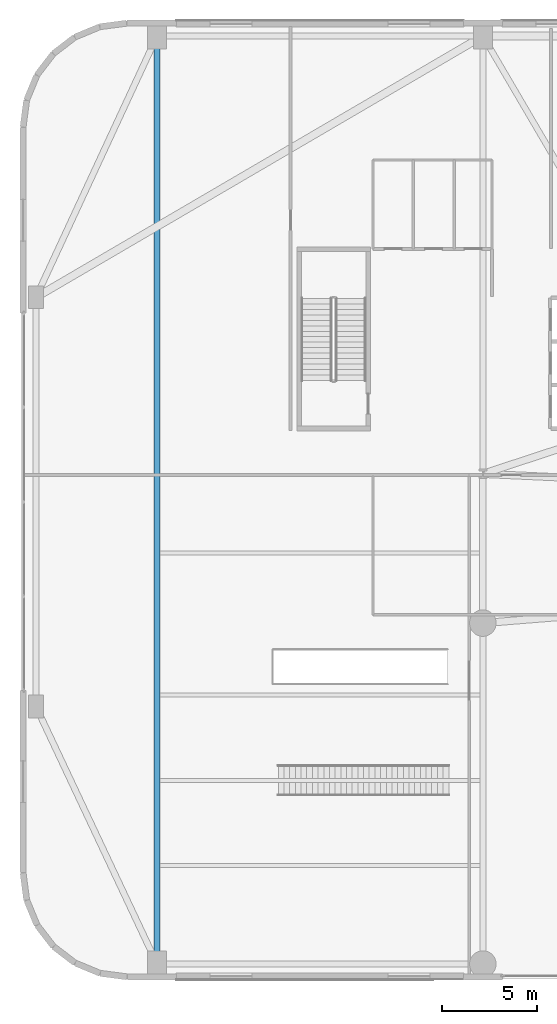
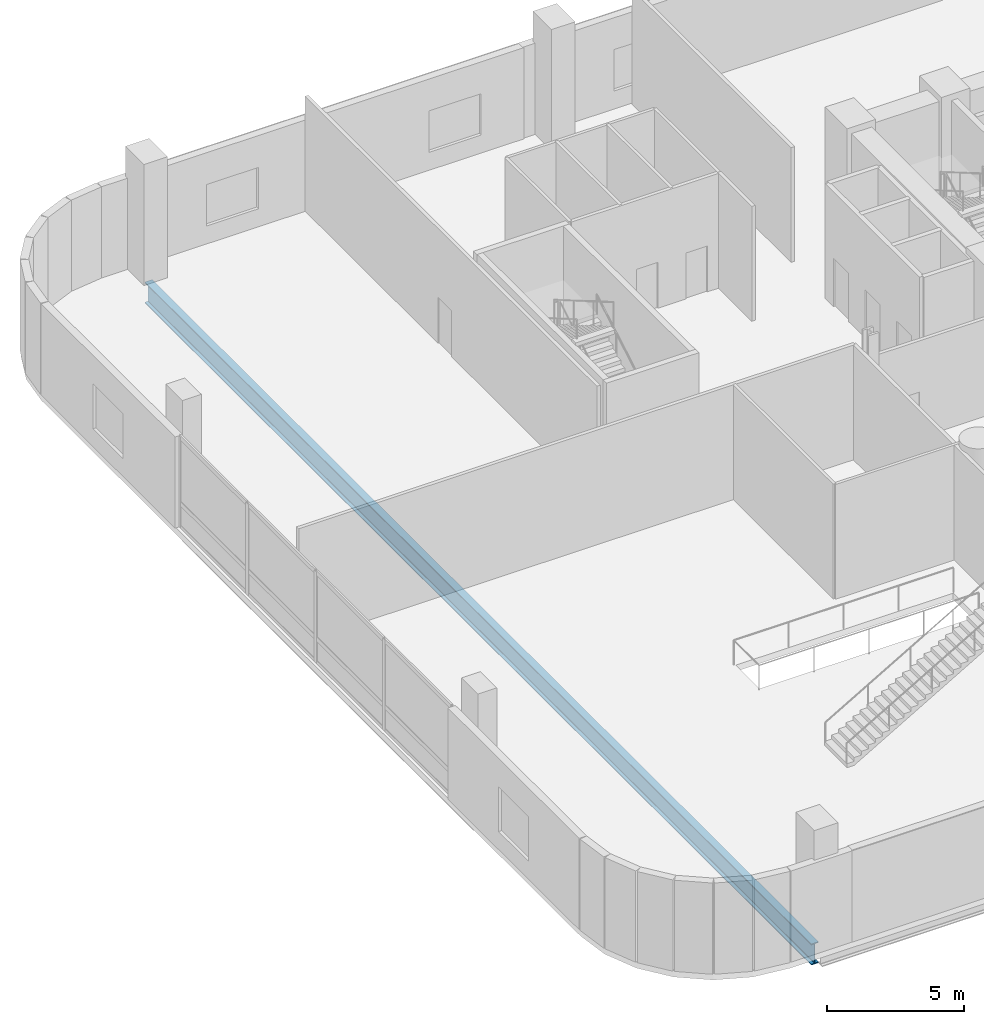
# One storey, part 9 of 36: 1 beam.
"""IFC4 building model written with IfcOpenShell, lengths in metres."""

from ifc_helpers import new_model, si_unit, direction, frame, origin, origin_2d, place, context, subcontext, project, spatial, i_section, extrude, material, material_profile, profile_set, type_object, element, save


model = new_model("IFC4")

# Units and contexts
model_context = context("Model", 3, precision=1e-05, world=origin(), true_north=direction((0.0, 1.0)))
body_context = subcontext(model_context, "Body", "Model", "MODEL_VIEW")
ifc_project = project(units=[si_unit("LENGTHUNIT", "METRE"), si_unit("AREAUNIT", "SQUARE_METRE"), si_unit("VOLUMEUNIT", "CUBIC_METRE"), si_unit("PLANEANGLEUNIT", "RADIAN"), si_unit("MASSUNIT", "GRAM", prefix="KILO")], contexts=[model_context])

# Site, building, storey
site_placement = place(None, origin())
site = spatial("IfcSite", under=ifc_project, at=site_placement, CompositionType="ELEMENT")
building_placement = place(site_placement, origin())
building = spatial("IfcBuilding", under=site, at=building_placement, Name="Varnelok Gate Tower", CompositionType="ELEMENT")
storey_placement = place(building_placement, frame((0.0, 0.0, 10.800048828125)))
storey = spatial("IfcBuildingStorey", under=building, at=storey_placement, Name="L02", CompositionType="ELEMENT", Elevation=10.800048828125)

# Beam
ifc_material = material(Name="Structural Steel ASTM A992 Grade 50", Category="steel")
ifc_material_profile = material_profile(ifc_material, i_section(OverallWidth=0.30810546875, OverallDepth=0.943115234375, WebThickness=0.022216796875, FlangeThickness=0.039794921875, FilletRadius=0.02587890625, at=origin_2d()), Name="W36X232")
ifc_profile_set = profile_set([ifc_material_profile], Name="Structural Steel ASTM A992 Grade 50")
beam_type = type_object("IfcBeamType", Name="BM-PRI-W36X232", PredefinedType="BEAM", material=ifc_profile_set)
beam_placement = place(storey_placement, frame((7.199951171875, 0.93994140625, -0.75146484375), z_axis=(0.0, 1.0, 0.0), x_axis=(-1.0, 0.0, 0.0)))
element("IfcBeam", 1, at=beam_placement, inside=storey, type_object=beam_type, Name="L02 Podium Primary Girder 14", PredefinedType="BEAM", context=body_context, shape_type="SweptSolid", body=[
    extrude(i_section(OverallWidth=0.30810546875, OverallDepth=0.943115234375, WebThickness=0.022216796875, FlangeThickness=0.039794921875, FilletRadius=0.02587890625, at=origin_2d()), origin(), (0.0, 0.0, 1.0), 48.719970703125),
])

save(model, "model.ifc")
